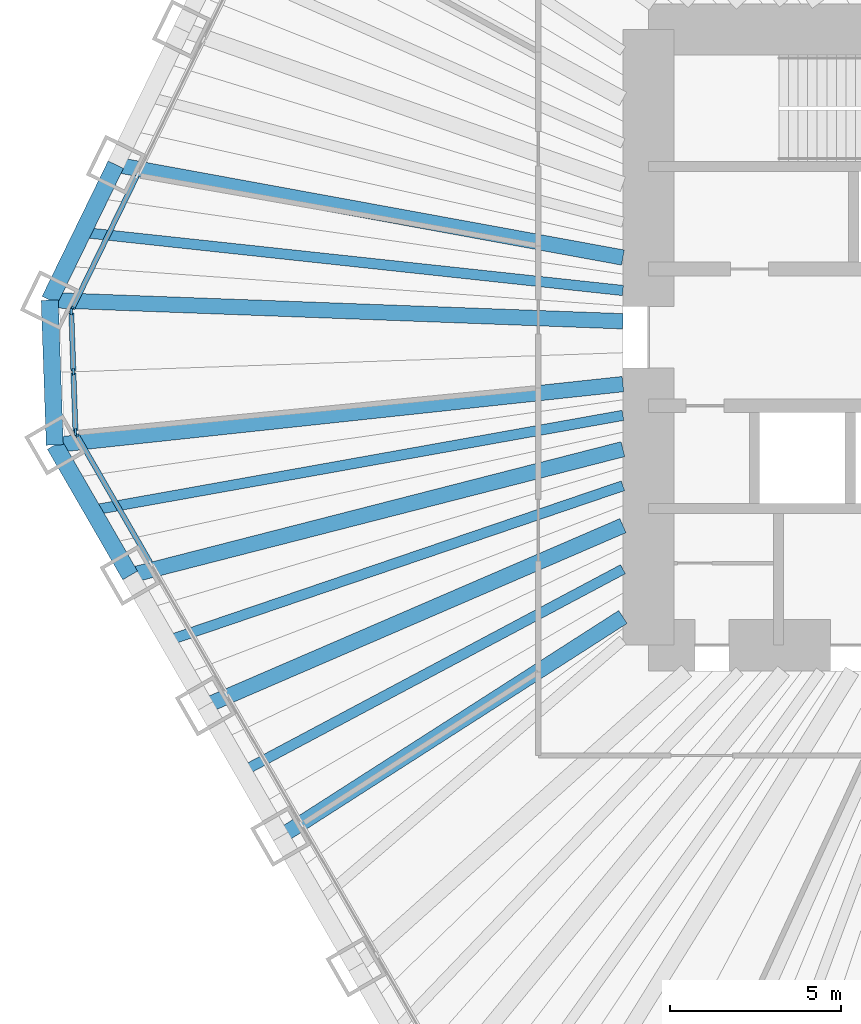
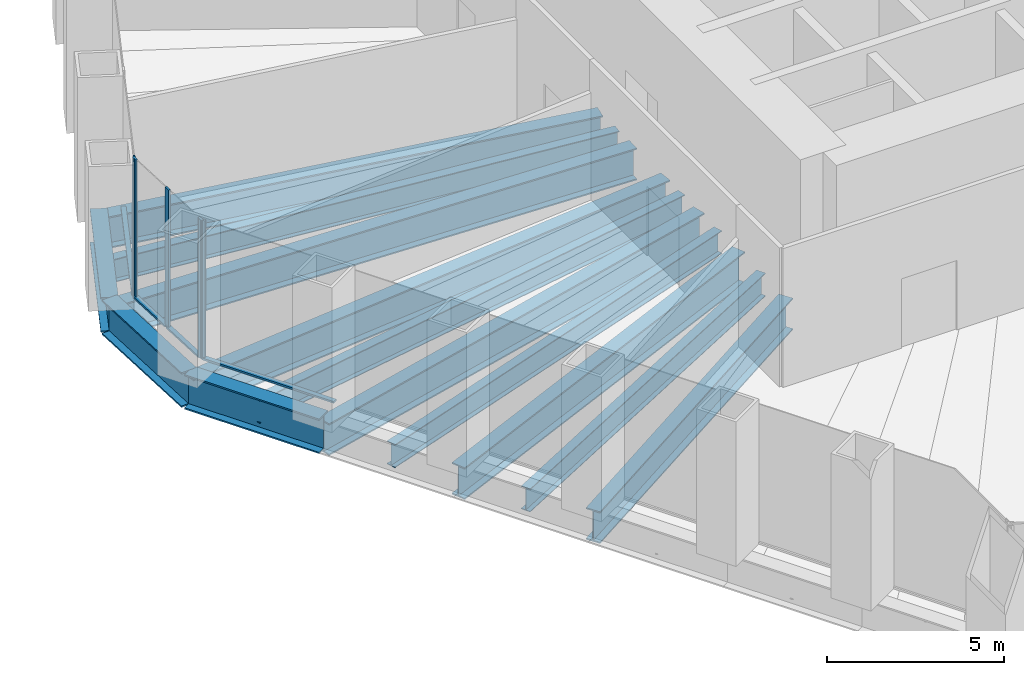
# One storey, part 3 of 13: 13 beams, 9 members, 3 elements without a shape of their own.
"""IFC4 building model written with IfcOpenShell, lengths in metres."""

import ifcopenshell
import ifcopenshell.guid

model = None  # the IFC model being written
_history = None  # IfcOwnerHistory: only IFC2X3 demands one
_inside = {}  # id of a spatial element -> (the spatial element, [elements in it])
_under = {}  # id of a project, library or spatial element -> (it, [spatial elements below it])
_declared = {}  # id of a project -> (the project, [libraries it declares])
_typed = {}  # id of a type object -> (the type object, [elements of that type])
_made_of = {}  # id of a material, layer set ... -> (it, [elements and type objects made of it])


def new_model(schema):
    """Start an empty IFC model of exactly this schema.

    Asked for "IFC4X3", IfcOpenShell would pick the latest addendum, in which some entities
    have other attributes; the version numbers below select the first issue.
    IFC2X3 requires an IfcOwnerHistory on every rooted entity: one is made here for all.
    """
    global model, _history
    if schema == "IFC4X3":
        model = ifcopenshell.file(schema_version=(4, 3, 0, 0))
    else:
        model = ifcopenshell.file(schema=schema)
    _inside.clear()
    _under.clear()
    _declared.clear()
    _typed.clear()
    _made_of.clear()
    _history = None
    if model.schema == "IFC2X3":
        org = make("IfcOrganization", Name="unknown")
        user = make(
            "IfcPersonAndOrganization",
            ThePerson=make("IfcPerson", FamilyName="unknown"),
            TheOrganization=org,
        )
        app = make(
            "IfcApplication",
            ApplicationDeveloper=org,
            Version="unknown",
            ApplicationFullName="unknown",
            ApplicationIdentifier="unknown",
        )
        _history = make(
            "IfcOwnerHistory",
            OwningUser=user,
            OwningApplication=app,
            ChangeAction="ADDED",
            CreationDate=0,
        )
    return model


def make(cls, **values):
    """One entity of the class cls with the attributes given. An attribute that is None is left unset."""
    return model.create_entity(
        cls, **{name: value for name, value in values.items() if value is not None}
    )


def rooted(cls, **values):
    """An entity with a GlobalId (a new one), such as an element, a storey or a relation."""
    return make(cls, GlobalId=ifcopenshell.guid.new(), OwnerHistory=_history, **values)


def si_unit(unit_type, name, prefix=None):
    """IfcSIUnit, for example si_unit("LENGTHUNIT", "METRE", prefix="MILLI")."""
    return make("IfcSIUnit", UnitType=unit_type, Prefix=prefix, Name=name)


def assignment(units):
    """IfcUnitAssignment: the units of a project."""
    return None if units is None else make("IfcUnitAssignment", Units=units)


def point(xyz):
    """IfcCartesianPoint."""
    return None if xyz is None else make("IfcCartesianPoint", Coordinates=xyz)


def direction(xyz):
    """IfcDirection."""
    return None if xyz is None else make("IfcDirection", DirectionRatios=xyz)


def frame(location, z_axis=None, x_axis=None):
    """IfcAxis2Placement3D, a coordinate frame: its origin and axes. An axis left out is left unset."""
    return make(
        "IfcAxis2Placement3D",
        Location=point(location),
        Axis=direction(z_axis),
        RefDirection=direction(x_axis),
    )


def frame_2d(location, x_axis=None):
    """IfcAxis2Placement2D, a coordinate frame in the plane: its origin and x axis."""
    return make(
        "IfcAxis2Placement2D", Location=point(location), RefDirection=direction(x_axis)
    )


def origin():
    """The frame at (0, 0, 0) with its axes left unset."""
    return frame((0.0, 0.0, 0.0))


def origin_2d():
    """The frame at (0, 0) in the plane with its x axis left unset."""
    return frame_2d((0.0, 0.0))


def place(relative_to, where):
    """IfcLocalPlacement: puts the frame where relative to a parent placement (None: the world)."""
    return make(
        "IfcLocalPlacement", PlacementRelTo=relative_to, RelativePlacement=where
    )


def context(
    kind, dimensions, precision=None, world=None, true_north=None, identifier=None
):
    """IfcGeometricRepresentationContext, for example the 3D "Model" context."""
    return make(
        "IfcGeometricRepresentationContext",
        ContextIdentifier=identifier,
        ContextType=kind,
        CoordinateSpaceDimension=dimensions,
        Precision=precision,
        WorldCoordinateSystem=world,
        TrueNorth=true_north,
    )


def subcontext(parent, identifier, kind, view, scale=None):
    """IfcGeometricRepresentationSubContext, for example "Body" below "Model"."""
    return make(
        "IfcGeometricRepresentationSubContext",
        ContextIdentifier=identifier,
        ContextType=kind,
        ParentContext=parent,
        TargetScale=scale,
        TargetView=view,
    )


def project(units=None, contexts=None):
    """IfcProject with its units and contexts."""
    return rooted(
        "IfcProject",
        Name="project",
        RepresentationContexts=contexts,
        UnitsInContext=assignment(units),
    )


def spatial(cls, under=None, at=None, **own):
    """A site, building, storey or space (cls), placed at a placement, below another one or the project."""
    s = rooted(cls, ObjectPlacement=at, **own)
    if under is not None:
        _under.setdefault(under.id(), (under, []))[1].append(s)
    return s


def profile(cls, at=None, kind="AREA", **sizes):
    """A parametric profile (cls). Its sizes go by their IFC names, for example OverallWidth=200.0."""
    return make(cls, ProfileType=kind, Position=at, **sizes)


def rectangle(**sizes):
    """IfcRectangleProfileDef."""
    return profile("IfcRectangleProfileDef", **sizes)


def i_section(**sizes):
    """IfcIShapeProfileDef."""
    return profile("IfcIShapeProfileDef", **sizes)


def extrude(swept, where, along, depth):
    """IfcExtrudedAreaSolid: the profile swept, set in the frame where, extruded along a direction by depth."""
    return make(
        "IfcExtrudedAreaSolid",
        SweptArea=swept,
        Position=where,
        ExtrudedDirection=direction(along),
        Depth=depth,
    )


def shape(context_of_items, identifier, shape_type, items):
    """IfcShapeRepresentation: the items that make up one representation, for example the "Body"."""
    return make(
        "IfcShapeRepresentation",
        ContextOfItems=context_of_items,
        RepresentationIdentifier=identifier,
        RepresentationType=shape_type,
        Items=items,
    )


def material(Name=None, Category=None):
    """IfcMaterial."""
    return make("IfcMaterial", Name=Name, Category=Category)


def material_profile(
    of_material, cross_section, Name=None, Category=None, Priority=None
):
    """IfcMaterialProfile: a cross section and its material."""
    return make(
        "IfcMaterialProfile",
        Name=Name,
        Material=of_material,
        Profile=cross_section,
        Priority=Priority,
        Category=Category,
    )


def profile_set(profiles, Name=None, composite=None):
    """IfcMaterialProfileSet."""
    return make(
        "IfcMaterialProfileSet",
        Name=Name,
        MaterialProfiles=profiles,
        CompositeProfile=composite,
    )


def made_of(thing, what):
    """Note that an element or type object is made of a material, layer set ...; save() writes the relation."""
    if what is not None:
        _made_of.setdefault(what.id(), (what, []))[1].append(thing)
    return thing


def type_object(cls, material=None, **own):
    """A type object (cls), such as IfcWallType, which elements share."""
    return made_of(rooted(cls, **own), material)


def element(
    cls,
    number,
    at=None,
    inside=None,
    cuts=None,
    type_object=None,
    material=None,
    context=None,
    identifier="Body",
    shape_type=None,
    held_by="IfcProductDefinitionShape",
    body=None,
    shapes=None,
    **own,
):
    """One element of the class cls, such as IfcWall. Its Tag is "e" and its number.

    at: its placement. inside: the storey or other place that contains it. cuts: it is an
    opening in that element (IfcRelVoidsElement). A single representation is given by context,
    identifier, shape_type and body (its items); several are given by shapes. held_by: the class
    of the entity that holds the representations. save() writes the other relations.
    """
    e = rooted(cls, Tag="e%d" % number, ObjectPlacement=at, **own)
    if body is not None:
        shapes = [shape(context, identifier, shape_type, body)]
    if shapes is not None:
        e.Representation = make(held_by, Representations=shapes)
    if inside is not None:
        _inside.setdefault(inside.id(), (inside, []))[1].append(e)
    if cuts is not None:
        rooted(
            "IfcRelVoidsElement", RelatingBuildingElement=cuts, RelatedOpeningElement=e
        )
    if type_object is not None:
        _typed.setdefault(type_object.id(), (type_object, []))[1].append(e)
    return made_of(e, material)


def aggregate(whole, parts):
    """IfcRelAggregates: a whole, such as a stair, and the parts it consists of."""
    return rooted("IfcRelAggregates", RelatingObject=whole, RelatedObjects=parts)


def save(model, path):
    """Write the relations noted so far, then the file.

    IfcRelAggregates (storeys below a building ...), IfcRelContainedInSpatialStructure (elements
    in a storey), IfcRelDefinesByType, IfcRelAssociatesMaterial and IfcRelDeclares: one each for
    every whole, place, type object, material and project.
    """
    for whole, parts in _under.values():
        aggregate(whole, parts)
    for where, things in _inside.values():
        rooted(
            "IfcRelContainedInSpatialStructure",
            RelatedElements=things,
            RelatingStructure=where,
        )
    for kind, things in _typed.values():
        rooted("IfcRelDefinesByType", RelatedObjects=things, RelatingType=kind)
    for what, things in _made_of.values():
        rooted("IfcRelAssociatesMaterial", RelatedObjects=things, RelatingMaterial=what)
    for by, libraries in _declared.values():
        rooted("IfcRelDeclares", RelatingContext=by, RelatedDefinitions=libraries)
    model.write(path)


model = new_model("IFC4")

# Units and contexts
model_context = context("Model", 3, precision=1e-05, world=origin(), true_north=direction((0.0, 1.0)))
body_context = subcontext(model_context, "Body", "Model", "MODEL_VIEW")
ifc_project = project(units=[si_unit("LENGTHUNIT", "METRE"), si_unit("AREAUNIT", "SQUARE_METRE"), si_unit("VOLUMEUNIT", "CUBIC_METRE"), si_unit("PLANEANGLEUNIT", "RADIAN"), si_unit("MASSUNIT", "GRAM", prefix="KILO")], contexts=[model_context])

# Site, building, storey
site_placement = place(None, origin())
site = spatial("IfcSite", under=ifc_project, at=site_placement, CompositionType="ELEMENT")
building_placement = place(site_placement, origin())
building = spatial("IfcBuilding", under=site, at=building_placement, Name="Qingtian Harvest Tower", CompositionType="ELEMENT")
storey_placement = place(building_placement, frame((0.0, 0.0, 62.0)))
storey = spatial("IfcBuildingStorey", under=building, at=storey_placement, Name="L12", CompositionType="ELEMENT", Elevation=62.0)

# Beams
ifc_material_1 = material(Name="Steel SM570MC", Category="steel")
ifc_material_profile_1 = material_profile(ifc_material_1, i_section(OverallWidth=0.449951171875, OverallDepth=1.10009765625, WebThickness=0.02197265625, FlangeThickness=0.044921875, at=origin_2d()), Name="H1100x450x22x45")
ifc_profile_set_1 = profile_set([ifc_material_profile_1], Name="Steel SM570MC")
beam_type_1 = type_object("IfcBeamType", Name="Corner floor beam FB8 H1100x450x22x45", PredefinedType="BEAM", material=ifc_profile_set_1)
beam_1_placement = place(storey_placement, frame((-29.36083984375, -3.145751953125, -0.75), z_axis=(0.994308822197, 0.106536219669, 0.0), x_axis=(-0.106536219669, 0.994308822197, 0.0)))
element("IfcBeam", 1, at=beam_1_placement, inside=storey, type_object=beam_type_1, Name="Floor beam FB8 SW6", PredefinedType="BEAM", context=body_context, shape_type="SweptSolid", body=[
    extrude(i_section(OverallWidth=0.449951171875, OverallDepth=1.10009765625, WebThickness=0.02197265625, FlangeThickness=0.044921875, at=origin_2d()), origin(), (0.0, 0.0, 1.0), 16.705810546875),
])
beam_2_placement = place(storey_placement, frame((-29.5087890625, 1.08984375, -0.75), z_axis=(0.999318796571, -0.036904509488, 0.0), x_axis=(0.036904509488, 0.999318796571, 0.0)))
element("IfcBeam", 2, at=beam_2_placement, inside=storey, type_object=beam_type_1, Name="Floor beam FB8 NW0", PredefinedType="BEAM", context=body_context, shape_type="SweptSolid", body=[
    extrude(i_section(OverallWidth=0.449951171875, OverallDepth=1.10009765625, WebThickness=0.02197265625, FlangeThickness=0.044921875, at=origin_2d()), origin(), (0.0, 0.0, 1.0), 16.770263671875),
])
ifc_material_2 = material(Name="Steel SM570MC", Category="steel")
ifc_material_profile_2 = material_profile(ifc_material_2, i_section(OverallWidth=0.449951171875, OverallDepth=1.10009765625, WebThickness=0.02197265625, FlangeThickness=0.044921875, at=origin_2d()), Name="H1100x450x22x45")
ifc_profile_set_2 = profile_set([ifc_material_profile_2], Name="Steel SM570MC")
beam_type_2 = type_object("IfcBeamType", Name="Floor beam FB1 H1100x450x22x45", PredefinedType="BEAM", material=ifc_profile_set_2)
beam_3_placement = place(storey_placement, frame((-22.75390625, -14.589111328125, -0.75), z_axis=(0.841829353865, 0.539743771591, 0.0), x_axis=(-0.539743771591, 0.841829353865, 0.0)))
element("IfcBeam", 3, at=beam_3_placement, inside=storey, type_object=beam_type_2, Name="Floor beam FB1 SW3", PredefinedType="BEAM", context=body_context, shape_type="SweptSolid", body=[
    extrude(i_section(OverallWidth=0.449951171875, OverallDepth=1.10009765625, WebThickness=0.02197265625, FlangeThickness=0.044921875, at=origin_2d()), origin(), (0.0, 0.0, 1.0), 11.883544921875),
])
beam_4_placement = place(storey_placement, frame((-24.9560546875, -10.774658203125, -0.75), z_axis=(0.918083617325, 0.396386770213, 0.0), x_axis=(-0.396386770213, 0.918083617325, 0.0)))
element("IfcBeam", 4, at=beam_4_placement, inside=storey, type_object=beam_type_2, Name="Floor beam FB1 SW4", PredefinedType="BEAM", context=body_context, shape_type="SweptSolid", body=[
    extrude(i_section(OverallWidth=0.449951171875, OverallDepth=1.10009765625, WebThickness=0.02197265625, FlangeThickness=0.044921875, at=origin_2d()), origin(), (0.0, 0.0, 1.0), 13.295166015625),
])
beam_5_placement = place(storey_placement, frame((-27.158447265625, -6.960205078125, -0.75), z_axis=(0.968693729942, 0.248258851947, 0.0), x_axis=(-0.248258851947, 0.968693729942, 0.0)))
element("IfcBeam", 5, at=beam_5_placement, inside=storey, type_object=beam_type_2, Name="Floor beam FB1 SW5", PredefinedType="BEAM", context=body_context, shape_type="SweptSolid", body=[
    extrude(i_section(OverallWidth=0.449951171875, OverallDepth=1.10009765625, WebThickness=0.02197265625, FlangeThickness=0.044921875, at=origin_2d()), origin(), (0.0, 0.0, 1.0), 14.8740234375),
])
beam_6_placement = place(storey_placement, frame((-27.577880859375, 5.048828125, -0.75), z_axis=(0.98365177106, -0.180081074215, 0.0), x_axis=(0.180081074215, 0.98365177106, 0.0)))
element("IfcBeam", 6, at=beam_6_placement, inside=storey, type_object=beam_type_2, Name="Floor beam FB1 NW1", PredefinedType="BEAM", context=body_context, shape_type="SweptSolid", body=[
    extrude(i_section(OverallWidth=0.449951171875, OverallDepth=1.10009765625, WebThickness=0.02197265625, FlangeThickness=0.044921875, at=origin_2d()), origin(), (0.0, 0.0, 1.0), 15.07421875),
])
ifc_material_3 = material(Name="Steel SN490B", Category="steel")
ifc_material_profile_3 = material_profile(ifc_material_3, i_section(OverallWidth=0.300048828125, OverallDepth=0.800048828125, WebThickness=0.013916015625, FlangeThickness=0.02587890625, at=origin_2d()), Name="H800x300x14x26")
ifc_profile_set_3 = profile_set([ifc_material_profile_3], Name="Steel SN490B")
beam_type_3 = type_object("IfcBeamType", Name="Floor joist J1 H800x300x14x26", PredefinedType="JOIST", material=ifc_profile_set_3)
beam_7_placement = place(storey_placement, frame((-23.85498046875, -12.681884765625, -0.60009765625), z_axis=(0.882982474604, 0.469405953885, 0.0), x_axis=(-0.469405953885, 0.882982474604, 0.0)))
element("IfcBeam", 7, at=beam_7_placement, inside=storey, type_object=beam_type_3, Name="Floor joist J1 SW3", PredefinedType="JOIST", context=body_context, shape_type="SweptSolid", body=[
    extrude(i_section(OverallWidth=0.300048828125, OverallDepth=0.800048828125, WebThickness=0.013916015625, FlangeThickness=0.02587890625, at=origin_2d()), origin(), (0.0, 0.0, 1.0), 12.57666015625),
])
beam_8_placement = place(storey_placement, frame((-26.057373046875, -8.867431640625, -0.60009765625), z_axis=(0.946684735425, 0.322161468387, 0.0), x_axis=(-0.322161468387, 0.946684735425, 0.0)))
element("IfcBeam", 8, at=beam_8_placement, inside=storey, type_object=beam_type_3, Name="Floor joist J1 SW4", PredefinedType="JOIST", context=body_context, shape_type="SweptSolid", body=[
    extrude(i_section(OverallWidth=0.300048828125, OverallDepth=0.800048828125, WebThickness=0.013916015625, FlangeThickness=0.02587890625, at=origin_2d()), origin(), (0.0, 0.0, 1.0), 14.056884765625),
])
beam_9_placement = place(storey_placement, frame((-28.259521484375, -5.052978515625, -0.60009765625), z_axis=(0.984387614034, 0.176014275943, 0.0), x_axis=(-0.176014275943, 0.984387614034, 0.0)))
element("IfcBeam", 9, at=beam_9_placement, inside=storey, type_object=beam_type_3, Name="Floor joist J1 SW5", PredefinedType="JOIST", context=body_context, shape_type="SweptSolid", body=[
    extrude(i_section(OverallWidth=0.300048828125, OverallDepth=0.800048828125, WebThickness=0.013916015625, FlangeThickness=0.02587890625, at=origin_2d()), origin(), (0.0, 0.0, 1.0), 15.755615234375),
])
beam_10_placement = place(storey_placement, frame((-28.543212890625, 3.0693359375, -0.60009765625), z_axis=(0.994268320665, -0.106913546948, 0.0), x_axis=(0.106913546948, 0.994268320665, 0.0)))
element("IfcBeam", 10, at=beam_10_placement, inside=storey, type_object=beam_type_3, Name="Floor joist J1 NW0", PredefinedType="JOIST", context=body_context, shape_type="SweptSolid", body=[
    extrude(i_section(OverallWidth=0.300048828125, OverallDepth=0.800048828125, WebThickness=0.013916015625, FlangeThickness=0.02587890625, at=origin_2d()), origin(), (0.0, 0.0, 1.0), 15.88427734375),
])

# Curtain wall, member
ifc_material_4 = material(Name="Bronze-anodised aluminium curtain wall", Category="aluminium")
curtain_wall_type = type_object("IfcCurtainWallType", Name="Curtain wall CW2 farm reception", PredefinedType="USERDEFINED", material=ifc_material_4)
curtain_wall_1_placement = place(storey_placement, origin())
curtain_wall_1 = element("IfcCurtainWall", 11, at=curtain_wall_1_placement, inside=storey, type_object=curtain_wall_type, Name="Curtain wall CW2 L12 SW0-5", ObjectType="RECESSED CURTAIN WALL", PredefinedType="USERDEFINED")
ifc_material_5 = material(Name="Bronze-anodised aluminium mullion", Category="aluminium")
ifc_material_profile_4 = material_profile(ifc_material_5, rectangle(XDim=0.06494140625, YDim=0.199951171875, at=origin_2d()), Name="AL 65x200")
ifc_profile_set_4 = profile_set([ifc_material_profile_4], Name="Bronze-anodised aluminium mullion")
member_type_1 = type_object("IfcMemberType", Name="Mullion CWM 65x200", PredefinedType="MULLION", material=ifc_profile_set_4)
member_1_placement = place(storey_placement, frame((-28.73828125, -2.82373046875, 0.0), z_axis=(0.0, 0.0, 1.0), x_axis=(-0.866025403784, -0.5, 0.0)))
member_1 = element("IfcMember", 12, at=member_1_placement, type_object=member_type_1, Name="CW2 mullion 7", PredefinedType="MULLION", context=body_context, shape_type="SweptSolid", body=[
    extrude(rectangle(XDim=0.06494140625, YDim=0.199951171875, at=origin_2d()), origin(), (0.0, 0.0, 1.0), 4.800048828125),
])

# Curtain wall, members
curtain_wall_2_placement = place(storey_placement, origin())
curtain_wall_2 = element("IfcCurtainWall", 13, at=curtain_wall_2_placement, inside=storey, type_object=curtain_wall_type, Name="Curtain wall CW2 L12 SWC", ObjectType="RECESSED CURTAIN WALL", PredefinedType="USERDEFINED")
member_2_placement = place(storey_placement, frame((-28.755615234375, -2.76318359375, 0.0), z_axis=(0.0, 0.0, 1.0), x_axis=(-0.999390827019, -0.034899496703, 0.0)))
member_2 = element("IfcMember", 14, at=member_2_placement, type_object=member_type_1, Name="CW2 mullion 1", PredefinedType="MULLION", context=body_context, shape_type="SweptSolid", body=[
    extrude(rectangle(XDim=0.06494140625, YDim=0.199951171875, at=origin_2d()), origin(), (0.0, 0.0, 1.0), 4.800048828125),
])
member_3_placement = place(storey_placement, frame((-28.817138671875, -1.00634765625, 0.0), z_axis=(0.0, 0.0, 1.0), x_axis=(-0.999390827019, -0.034899496703, 0.0)))
member_3 = element("IfcMember", 15, at=member_3_placement, type_object=member_type_1, Name="CW2 mullion 2", PredefinedType="MULLION", context=body_context, shape_type="SweptSolid", body=[
    extrude(rectangle(XDim=0.06494140625, YDim=0.199951171875, at=origin_2d()), origin(), (0.0, 0.0, 1.0), 4.800048828125),
])
member_4_placement = place(storey_placement, frame((-28.87841796875, 0.75048828125, 0.0), z_axis=(0.0, 0.0, 1.0), x_axis=(-0.999390827019, -0.034899496703, 0.0)))
member_4 = element("IfcMember", 16, at=member_4_placement, type_object=member_type_1, Name="CW2 mullion 3", PredefinedType="MULLION", context=body_context, shape_type="SweptSolid", body=[
    extrude(rectangle(XDim=0.06494140625, YDim=0.199951171875, at=origin_2d()), origin(), (0.0, 0.0, 1.0), 4.800048828125),
])

# Curtain wall, member
curtain_wall_3_placement = place(storey_placement, origin())
curtain_wall_3 = element("IfcCurtainWall", 17, at=curtain_wall_3_placement, inside=storey, type_object=curtain_wall_type, Name="Curtain wall CW2 L12 NW0-5", ObjectType="RECESSED CURTAIN WALL", PredefinedType="USERDEFINED")
member_5_placement = place(storey_placement, frame((-28.865234375, 0.812255859375, 0.0), z_axis=(0.0, 0.0, 1.0), x_axis=(-0.898794046299, 0.438371146789, 0.0)))
member_5 = element("IfcMember", 18, at=member_5_placement, type_object=member_type_1, Name="CW2 mullion 1", PredefinedType="MULLION", context=body_context, shape_type="SweptSolid", body=[
    extrude(rectangle(XDim=0.06494140625, YDim=0.199951171875, at=origin_2d()), origin(), (0.0, 0.0, 1.0), 4.800048828125),
])

# Beams
ifc_material_6 = material(Name="Steel SM570MC", Category="steel")
ifc_material_profile_5 = material_profile(ifc_material_6, i_section(OverallWidth=0.5, OverallDepth=1.199951171875, WebThickness=0.02490234375, FlangeThickness=0.050048828125, at=origin_2d()), Name="H1200x500x25x50")
ifc_profile_set_5 = profile_set([ifc_material_profile_5], Name="Steel SM570MC")
beam_type_4 = type_object("IfcBeamType", Name="Spandrel beam SB1 H1200x500x25x50", PredefinedType="SPANDREL", material=ifc_profile_set_5)
beam_11_placement = place(storey_placement, frame((-27.158447265625, -6.960205078125, -0.60009765625), z_axis=(-0.50001992892, 0.866013897511, 0.0), x_axis=(-0.866013897511, -0.50001992892, 0.0)))
element("IfcBeam", 19, at=beam_11_placement, inside=storey, type_object=beam_type_4, Name="Spandrel SB1 SW5", PredefinedType="SPANDREL", context=body_context, shape_type="SweptSolid", body=[
    extrude(i_section(OverallWidth=0.5, OverallDepth=1.199951171875, WebThickness=0.02490234375, FlangeThickness=0.050048828125, at=origin_2d()), origin(), (0.0, 0.0, 1.0), 4.404541015625),
])
beam_12_placement = place(storey_placement, frame((-29.36083984375, -3.145751953125, -0.60009765625), z_axis=(-0.034908677553, 0.999390506375, 0.0), x_axis=(-0.999390506375, -0.034908677553, 0.0)))
element("IfcBeam", 20, at=beam_12_placement, inside=storey, type_object=beam_type_4, Name="Spandrel SB1 SWC", PredefinedType="SPANDREL", context=body_context, shape_type="SweptSolid", body=[
    extrude(i_section(OverallWidth=0.5, OverallDepth=1.199951171875, WebThickness=0.02490234375, FlangeThickness=0.050048828125, at=origin_2d()), origin(), (0.0, 0.0, 1.0), 4.23828125),
])
beam_13_placement = place(storey_placement, frame((-29.5087890625, 1.08984375, -0.60009765625), z_axis=(0.438367938366, 0.898795611145, 0.0), x_axis=(-0.898795611145, 0.438367938366, 0.0)))
element("IfcBeam", 21, at=beam_13_placement, inside=storey, type_object=beam_type_4, Name="Spandrel SB1 NW0", PredefinedType="SPANDREL", context=body_context, shape_type="SweptSolid", body=[
    extrude(i_section(OverallWidth=0.5, OverallDepth=1.199951171875, WebThickness=0.02490234375, FlangeThickness=0.050048828125, at=origin_2d()), origin(), (0.0, 0.0, 1.0), 4.40478515625),
])

# Member
ifc_material_7 = material(Name="Bronze-anodised aluminium transom", Category="aluminium")
ifc_material_profile_6 = material_profile(ifc_material_7, rectangle(XDim=0.14990234375, YDim=0.06494140625, at=origin_2d()), Name="AL 65x150")
ifc_profile_set_6 = profile_set([ifc_material_profile_6], Name="Bronze-anodised aluminium transom")
member_type_2 = type_object("IfcMemberType", Name="Transom CWT 65x150", PredefinedType="USERDEFINED", material=ifc_profile_set_6)
member_6_placement = place(storey_placement, frame((-26.568603515625, -6.58203125, 0.032470703125), z_axis=(-0.499967798808, 0.866043994353, 0.0), x_axis=(-0.866043994353, -0.499967798808, 0.0)))
member_6 = element("IfcMember", 22, at=member_6_placement, type_object=member_type_2, Name="CW2 transom 6.1", ObjectType="TRANSOM", PredefinedType="USERDEFINED", context=body_context, shape_type="SweptSolid", body=[
    extrude(rectangle(XDim=0.14990234375, YDim=0.06494140625, at=origin_2d()), origin(), (0.0, 0.0, 1.0), 4.306884765625),
])

aggregate(curtain_wall_1, [member_1, member_6])

member_7_placement = place(storey_placement, frame((-28.7568359375, -2.730712890625, 0.032470703125), z_axis=(-0.034899362377, 0.99939083171, 0.0), x_axis=(-0.99939083171, -0.034899362377, 0.0)))
member_7 = element("IfcMember", 23, at=member_7_placement, type_object=member_type_2, Name="CW2 transom 1.1", ObjectType="TRANSOM", PredefinedType="USERDEFINED", context=body_context, shape_type="SweptSolid", body=[
    extrude(rectangle(XDim=0.14990234375, YDim=0.06494140625, at=origin_2d()), origin(), (0.0, 0.0, 1.0), 1.69287109375),
])

member_8_placement = place(storey_placement, frame((-28.818115234375, -0.973876953125, 0.032470703125), z_axis=(-0.034899362377, 0.99939083171, 0.0), x_axis=(-0.99939083171, -0.034899362377, 0.0)))
member_8 = element("IfcMember", 24, at=member_8_placement, type_object=member_type_2, Name="CW2 transom 2.1", ObjectType="TRANSOM", PredefinedType="USERDEFINED", context=body_context, shape_type="SweptSolid", body=[
    extrude(rectangle(XDim=0.14990234375, YDim=0.06494140625, at=origin_2d()), origin(), (0.0, 0.0, 1.0), 1.69287109375),
])

aggregate(curtain_wall_2, [member_2, member_3, member_4, member_7, member_8])

member_9_placement = place(storey_placement, frame((-28.85107421875, 0.841552734375, 0.032470703125), z_axis=(0.438394595167, 0.898782609383, 0.0), x_axis=(-0.898782609383, 0.438394595167, 0.0)))
member_9 = element("IfcMember", 25, at=member_9_placement, type_object=member_type_2, Name="CW2 transom 1.1", ObjectType="TRANSOM", PredefinedType="USERDEFINED", context=body_context, shape_type="SweptSolid", body=[
    extrude(rectangle(XDim=0.14990234375, YDim=0.06494140625, at=origin_2d()), origin(), (0.0, 0.0, 1.0), 4.30712890625),
])

aggregate(curtain_wall_3, [member_5, member_9])

save(model, "model.ifc")
